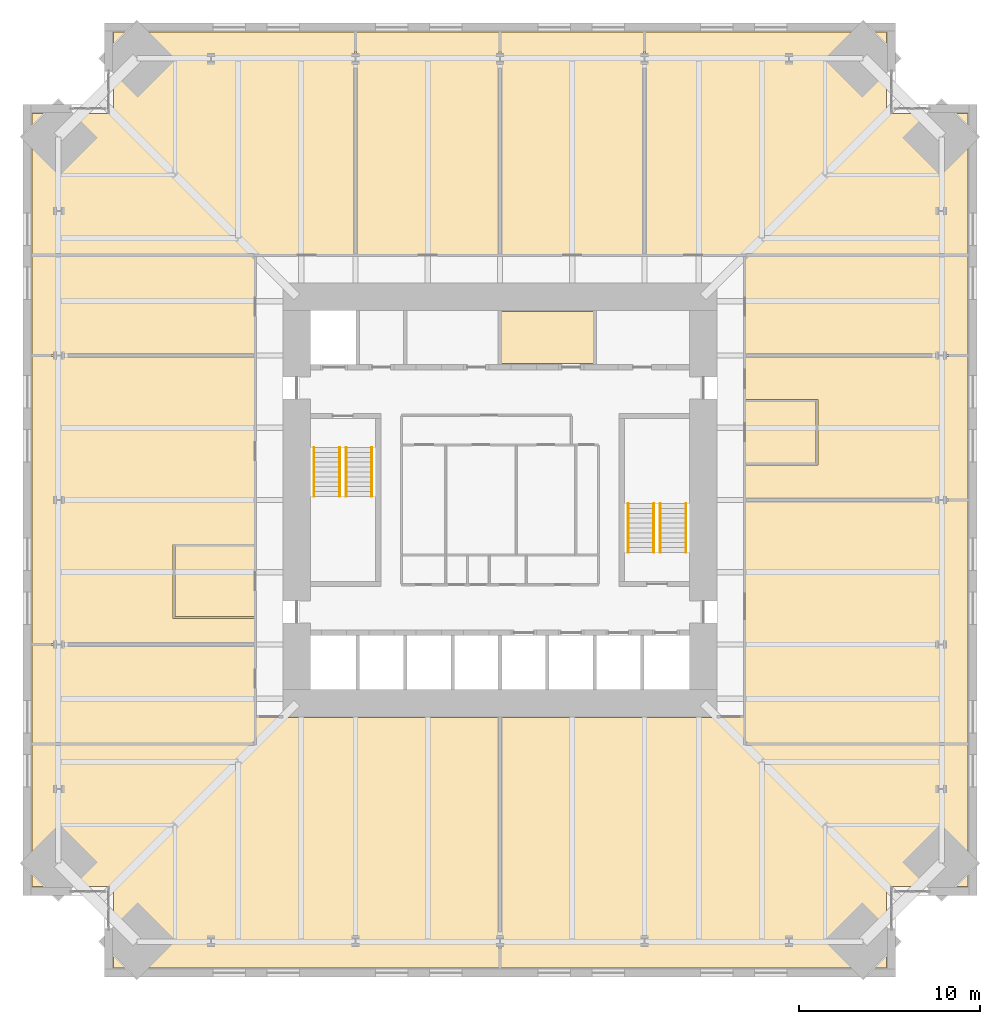
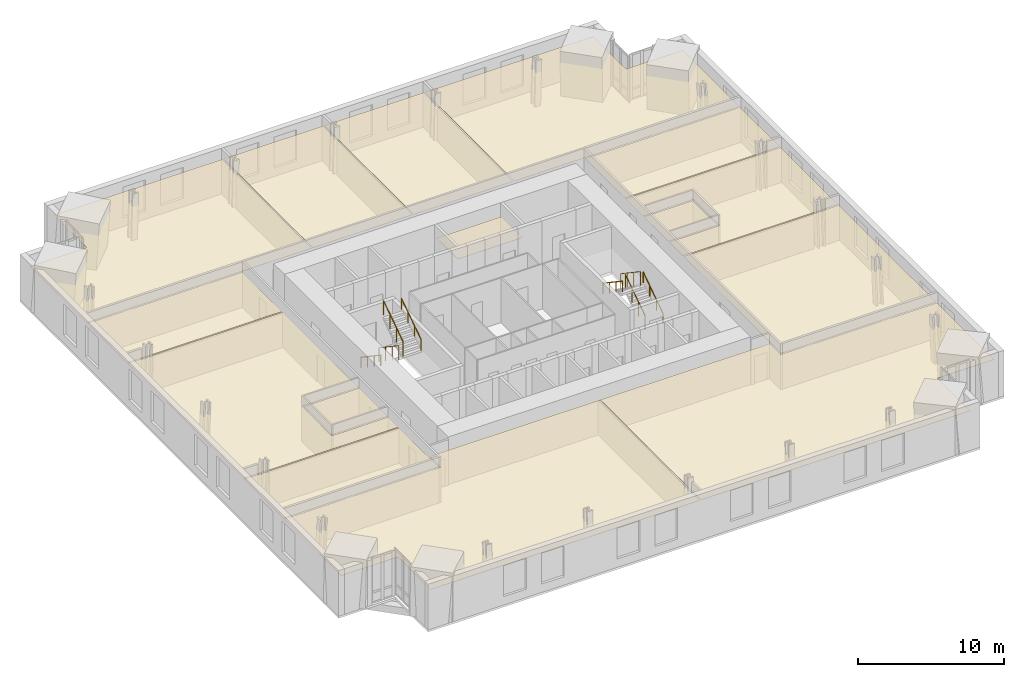
# One storey, part 18 of 18: 15 coverings, 8 railings.
"""IFC4 building model written with IfcOpenShell, lengths in metres."""

import ifcopenshell
import ifcopenshell.guid

model = None  # the IFC model being written
_history = None  # IfcOwnerHistory: only IFC2X3 demands one
_inside = {}  # id of a spatial element -> (the spatial element, [elements in it])
_under = {}  # id of a project, library or spatial element -> (it, [spatial elements below it])
_declared = {}  # id of a project -> (the project, [libraries it declares])
_typed = {}  # id of a type object -> (the type object, [elements of that type])
_made_of = {}  # id of a material, layer set ... -> (it, [elements and type objects made of it])


def new_model(schema):
    """Start an empty IFC model of exactly this schema.

    Asked for "IFC4X3", IfcOpenShell would pick the latest addendum, in which some entities
    have other attributes; the version numbers below select the first issue.
    IFC2X3 requires an IfcOwnerHistory on every rooted entity: one is made here for all.
    """
    global model, _history
    if schema == "IFC4X3":
        model = ifcopenshell.file(schema_version=(4, 3, 0, 0))
    else:
        model = ifcopenshell.file(schema=schema)
    _inside.clear()
    _under.clear()
    _declared.clear()
    _typed.clear()
    _made_of.clear()
    _history = None
    if model.schema == "IFC2X3":
        org = make("IfcOrganization", Name="unknown")
        user = make(
            "IfcPersonAndOrganization",
            ThePerson=make("IfcPerson", FamilyName="unknown"),
            TheOrganization=org,
        )
        app = make(
            "IfcApplication",
            ApplicationDeveloper=org,
            Version="unknown",
            ApplicationFullName="unknown",
            ApplicationIdentifier="unknown",
        )
        _history = make(
            "IfcOwnerHistory",
            OwningUser=user,
            OwningApplication=app,
            ChangeAction="ADDED",
            CreationDate=0,
        )
    return model


def make(cls, **values):
    """One entity of the class cls with the attributes given. An attribute that is None is left unset."""
    return model.create_entity(
        cls, **{name: value for name, value in values.items() if value is not None}
    )


def rooted(cls, **values):
    """An entity with a GlobalId (a new one), such as an element, a storey or a relation."""
    return make(cls, GlobalId=ifcopenshell.guid.new(), OwnerHistory=_history, **values)


def si_unit(unit_type, name, prefix=None):
    """IfcSIUnit, for example si_unit("LENGTHUNIT", "METRE", prefix="MILLI")."""
    return make("IfcSIUnit", UnitType=unit_type, Prefix=prefix, Name=name)


def assignment(units):
    """IfcUnitAssignment: the units of a project."""
    return None if units is None else make("IfcUnitAssignment", Units=units)


def point(xyz):
    """IfcCartesianPoint."""
    return None if xyz is None else make("IfcCartesianPoint", Coordinates=xyz)


def direction(xyz):
    """IfcDirection."""
    return None if xyz is None else make("IfcDirection", DirectionRatios=xyz)


def frame(location, z_axis=None, x_axis=None):
    """IfcAxis2Placement3D, a coordinate frame: its origin and axes. An axis left out is left unset."""
    return make(
        "IfcAxis2Placement3D",
        Location=point(location),
        Axis=direction(z_axis),
        RefDirection=direction(x_axis),
    )


def frame_2d(location, x_axis=None):
    """IfcAxis2Placement2D, a coordinate frame in the plane: its origin and x axis."""
    return make(
        "IfcAxis2Placement2D", Location=point(location), RefDirection=direction(x_axis)
    )


def origin():
    """The frame at (0, 0, 0) with its axes left unset."""
    return frame((0.0, 0.0, 0.0))


def origin_2d():
    """The frame at (0, 0) in the plane with its x axis left unset."""
    return frame_2d((0.0, 0.0))


def place(relative_to, where):
    """IfcLocalPlacement: puts the frame where relative to a parent placement (None: the world)."""
    return make(
        "IfcLocalPlacement", PlacementRelTo=relative_to, RelativePlacement=where
    )


def context(
    kind, dimensions, precision=None, world=None, true_north=None, identifier=None
):
    """IfcGeometricRepresentationContext, for example the 3D "Model" context."""
    return make(
        "IfcGeometricRepresentationContext",
        ContextIdentifier=identifier,
        ContextType=kind,
        CoordinateSpaceDimension=dimensions,
        Precision=precision,
        WorldCoordinateSystem=world,
        TrueNorth=true_north,
    )


def subcontext(parent, identifier, kind, view, scale=None):
    """IfcGeometricRepresentationSubContext, for example "Body" below "Model"."""
    return make(
        "IfcGeometricRepresentationSubContext",
        ContextIdentifier=identifier,
        ContextType=kind,
        ParentContext=parent,
        TargetScale=scale,
        TargetView=view,
    )


def project(units=None, contexts=None):
    """IfcProject with its units and contexts."""
    return rooted(
        "IfcProject",
        Name="project",
        RepresentationContexts=contexts,
        UnitsInContext=assignment(units),
    )


def spatial(cls, under=None, at=None, **own):
    """A site, building, storey or space (cls), placed at a placement, below another one or the project."""
    s = rooted(cls, ObjectPlacement=at, **own)
    if under is not None:
        _under.setdefault(under.id(), (under, []))[1].append(s)
    return s


def polyline(points):
    """IfcPolyline through the points."""
    return make("IfcPolyline", Points=[point(p) for p in points])


def profile(cls, at=None, kind="AREA", **sizes):
    """A parametric profile (cls). Its sizes go by their IFC names, for example OverallWidth=200.0."""
    return make(cls, ProfileType=kind, Position=at, **sizes)


def circle(**sizes):
    """IfcCircleProfileDef."""
    return profile("IfcCircleProfileDef", **sizes)


def outline(outer, holes=None, kind="AREA"):
    """IfcArbitraryClosedProfileDef: a profile drawn as a closed curve; with holes, ...WithVoids."""
    if holes is None:
        return make("IfcArbitraryClosedProfileDef", ProfileType=kind, OuterCurve=outer)
    return make(
        "IfcArbitraryProfileDefWithVoids",
        ProfileType=kind,
        OuterCurve=outer,
        InnerCurves=holes,
    )


def extrude(swept, where, along, depth):
    """IfcExtrudedAreaSolid: the profile swept, set in the frame where, extruded along a direction by depth."""
    return make(
        "IfcExtrudedAreaSolid",
        SweptArea=swept,
        Position=where,
        ExtrudedDirection=direction(along),
        Depth=depth,
    )


def shape(context_of_items, identifier, shape_type, items):
    """IfcShapeRepresentation: the items that make up one representation, for example the "Body"."""
    return make(
        "IfcShapeRepresentation",
        ContextOfItems=context_of_items,
        RepresentationIdentifier=identifier,
        RepresentationType=shape_type,
        Items=items,
    )


def material(Name=None, Category=None):
    """IfcMaterial."""
    return make("IfcMaterial", Name=Name, Category=Category)


def layer(
    of_material, thickness, ventilated=None, Name=None, Category=None, Priority=None
):
    """IfcMaterialLayer: one layer of a wall or slab, of a material (None: an air gap)."""
    return make(
        "IfcMaterialLayer",
        Material=of_material,
        LayerThickness=thickness,
        IsVentilated=ventilated,
        Name=Name,
        Category=Category,
        Priority=Priority,
    )


def layer_set(layers, Name=None):
    """IfcMaterialLayerSet."""
    return make("IfcMaterialLayerSet", MaterialLayers=layers, LayerSetName=Name)


def made_of(thing, what):
    """Note that an element or type object is made of a material, layer set ...; save() writes the relation."""
    if what is not None:
        _made_of.setdefault(what.id(), (what, []))[1].append(thing)
    return thing


def type_object(cls, material=None, **own):
    """A type object (cls), such as IfcWallType, which elements share."""
    return made_of(rooted(cls, **own), material)


def element(
    cls,
    number,
    at=None,
    inside=None,
    cuts=None,
    type_object=None,
    material=None,
    context=None,
    identifier="Body",
    shape_type=None,
    held_by="IfcProductDefinitionShape",
    body=None,
    shapes=None,
    **own,
):
    """One element of the class cls, such as IfcWall. Its Tag is "e" and its number.

    at: its placement. inside: the storey or other place that contains it. cuts: it is an
    opening in that element (IfcRelVoidsElement). A single representation is given by context,
    identifier, shape_type and body (its items); several are given by shapes. held_by: the class
    of the entity that holds the representations. save() writes the other relations.
    """
    e = rooted(cls, Tag="e%d" % number, ObjectPlacement=at, **own)
    if body is not None:
        shapes = [shape(context, identifier, shape_type, body)]
    if shapes is not None:
        e.Representation = make(held_by, Representations=shapes)
    if inside is not None:
        _inside.setdefault(inside.id(), (inside, []))[1].append(e)
    if cuts is not None:
        rooted(
            "IfcRelVoidsElement", RelatingBuildingElement=cuts, RelatedOpeningElement=e
        )
    if type_object is not None:
        _typed.setdefault(type_object.id(), (type_object, []))[1].append(e)
    return made_of(e, material)


def aggregate(whole, parts):
    """IfcRelAggregates: a whole, such as a stair, and the parts it consists of."""
    return rooted("IfcRelAggregates", RelatingObject=whole, RelatedObjects=parts)


def save(model, path):
    """Write the relations noted so far, then the file.

    IfcRelAggregates (storeys below a building ...), IfcRelContainedInSpatialStructure (elements
    in a storey), IfcRelDefinesByType, IfcRelAssociatesMaterial and IfcRelDeclares: one each for
    every whole, place, type object, material and project.
    """
    for whole, parts in _under.values():
        aggregate(whole, parts)
    for where, things in _inside.values():
        rooted(
            "IfcRelContainedInSpatialStructure",
            RelatedElements=things,
            RelatingStructure=where,
        )
    for kind, things in _typed.values():
        rooted("IfcRelDefinesByType", RelatedObjects=things, RelatingType=kind)
    for what, things in _made_of.values():
        rooted("IfcRelAssociatesMaterial", RelatedObjects=things, RelatingMaterial=what)
    for by, libraries in _declared.values():
        rooted("IfcRelDeclares", RelatingContext=by, RelatedDefinitions=libraries)
    model.write(path)


model = new_model("IFC4")

# Units and contexts
model_context = context("Model", 3, precision=1e-05, world=origin(), true_north=direction((0.0, 1.0)))
body_context = subcontext(model_context, "Body", "Model", "MODEL_VIEW")
ifc_project = project(units=[si_unit("LENGTHUNIT", "METRE"), si_unit("AREAUNIT", "SQUARE_METRE"), si_unit("VOLUMEUNIT", "CUBIC_METRE"), si_unit("PLANEANGLEUNIT", "RADIAN"), si_unit("MASSUNIT", "GRAM", prefix="KILO")], contexts=[model_context])

# Site, building, storey
site_placement = place(None, origin())
site = spatial("IfcSite", under=ifc_project, at=site_placement, CompositionType="ELEMENT")
building_placement = place(site_placement, origin())
building = spatial("IfcBuilding", under=site, at=building_placement, Name="Peilmerk Tower", CompositionType="ELEMENT")
storey_placement = place(building_placement, frame((0.0, 0.0, 159.800048828125)))
storey = spatial("IfcBuildingStorey", under=building, at=storey_placement, Name="L33", CompositionType="ELEMENT", Elevation=159.800048828125)

# Coverings
ifc_material_1 = material(Name="Mineral fibre ceiling tiles", Category="mineral")
ifc_layer = layer(ifc_material_1, 0.02490234375)
ifc_layer_set = layer_set([ifc_layer], Name="Mineral fibre ceiling tiles")
covering_type = type_object("IfcCoveringType", Name="CL1 25 suspended ceiling", PredefinedType="CEILING", material=ifc_layer_set)
covering_1_placement = place(storey_placement, frame((0.0, 0.0, 2.905029296875)))
element("IfcCovering", 1, at=covering_1_placement, inside=storey, type_object=covering_type, Name="Suspended ceiling Office", PredefinedType="CEILING", context=body_context, shape_type="SweptSolid", body=[
    extrude(outline(polyline([(-25.89990234375, 21.39990234375), (-25.89990234375, 13.60009765625), (-8.050048828125, 13.60009765625), (-8.050048828125, 25.89990234375), (-21.39990234375, 25.89990234375), (-21.39990234375, 21.39990234375), (-25.89990234375, 21.39990234375)])), origin(), (0.0, 0.0, 1.0), 0.02490234375),
])
covering_2_placement = place(storey_placement, frame((0.0, 0.0, 2.905029296875)))
element("IfcCovering", 2, at=covering_2_placement, inside=storey, type_object=covering_type, Name="Suspended ceiling Office", PredefinedType="CEILING", context=body_context, shape_type="SweptSolid", body=[
    extrude(outline(polyline([(-0.050048828125, 25.89990234375), (-7.949951171875, 25.89990234375), (-7.949951171875, 13.60009765625), (-0.050048828125, 13.60009765625), (-0.050048828125, 25.89990234375)])), origin(), (0.0, 0.0, 1.0), 0.02490234375),
])
covering_3_placement = place(storey_placement, frame((0.0, 0.0, 2.905029296875)))
element("IfcCovering", 3, at=covering_3_placement, inside=storey, type_object=covering_type, Name="Suspended ceiling Office", PredefinedType="CEILING", context=body_context, shape_type="SweptSolid", body=[
    extrude(outline(polyline([(7.949951171875, 25.89990234375), (0.050048828125, 25.89990234375), (0.050048828125, 13.60009765625), (7.949951171875, 13.60009765625), (7.949951171875, 25.89990234375)])), origin(), (0.0, 0.0, 1.0), 0.02490234375),
])
covering_4_placement = place(storey_placement, frame((0.0, 0.0, 2.905029296875)))
element("IfcCovering", 4, at=covering_4_placement, inside=storey, type_object=covering_type, Name="Suspended ceiling Office", PredefinedType="CEILING", context=body_context, shape_type="SweptSolid", body=[
    extrude(outline(polyline([(21.39990234375, 25.89990234375), (8.050048828125, 25.89990234375), (8.050048828125, 13.60009765625), (25.89990234375, 13.60009765625), (25.89990234375, 21.39990234375), (21.39990234375, 21.39990234375), (21.39990234375, 25.89990234375)])), origin(), (0.0, 0.0, 1.0), 0.02490234375),
])
covering_5_placement = place(storey_placement, frame((0.0, 0.0, 2.905029296875)))
element("IfcCovering", 5, at=covering_5_placement, inside=storey, type_object=covering_type, Name="Suspended ceiling Office", PredefinedType="CEILING", context=body_context, shape_type="SweptSolid", body=[
    extrude(outline(polyline([(-21.39990234375, -25.89990234375), (-0.050048828125, -25.89990234375), (-0.050048828125, -12.050048828125), (-13.5, -12.050048828125), (-13.5, -13.550048828125), (-25.89990234375, -13.550048828125), (-25.89990234375, -21.39990234375), (-21.39990234375, -21.39990234375), (-21.39990234375, -25.89990234375)])), origin(), (0.0, 0.0, 1.0), 0.02490234375),
])
covering_6_placement = place(storey_placement, frame((0.0, 0.0, 2.905029296875)))
element("IfcCovering", 6, at=covering_6_placement, inside=storey, type_object=covering_type, Name="Suspended ceiling Office", PredefinedType="CEILING", context=body_context, shape_type="SweptSolid", body=[
    extrude(outline(polyline([(0.050048828125, -25.89990234375), (21.39990234375, -25.89990234375), (21.39990234375, -21.39990234375), (25.89990234375, -21.39990234375), (25.89990234375, -13.550048828125), (13.5, -13.550048828125), (13.5, -12.050048828125), (0.050048828125, -12.050048828125), (0.050048828125, -25.89990234375)])), origin(), (0.0, 0.0, 1.0), 0.02490234375),
])
covering_7_placement = place(storey_placement, frame((0.0, 0.0, 2.905029296875)))
element("IfcCovering", 7, at=covering_7_placement, inside=storey, type_object=covering_type, Name="Suspended ceiling Library", PredefinedType="CEILING", context=body_context, shape_type="SweptSolid", body=[
    extrude(outline(polyline([(25.89990234375, -13.449951171875), (25.89990234375, -0.050048828125), (13.60009765625, -0.050048828125), (13.60009765625, -13.449951171875), (25.89990234375, -13.449951171875)])), origin(), (0.0, 0.0, 1.0), 0.02490234375),
])
covering_8_placement = place(storey_placement, frame((0.0, 0.0, 2.905029296875)))
element("IfcCovering", 8, at=covering_8_placement, inside=storey, type_object=covering_type, Name="Suspended ceiling Office", PredefinedType="CEILING", context=body_context, shape_type="SweptSolid", body=[
    extrude(outline(polyline([(13.60009765625, 0.050048828125), (25.89990234375, 0.050048828125), (25.89990234375, 7.949951171875), (13.60009765625, 7.949951171875), (13.60009765625, 5.550048828125), (17.60009765625, 5.550048828125), (17.60009765625, 1.949951171875), (13.60009765625, 1.949951171875), (13.60009765625, 0.050048828125)])), origin(), (0.0, 0.0, 1.0), 0.02490234375),
])
covering_9_placement = place(storey_placement, frame((0.0, 0.0, 2.905029296875)))
element("IfcCovering", 9, at=covering_9_placement, inside=storey, type_object=covering_type, Name="Suspended ceiling Office", PredefinedType="CEILING", context=body_context, shape_type="SweptSolid", body=[
    extrude(outline(polyline([(25.89990234375, 8.050048828125), (25.89990234375, 13.5), (13.60009765625, 13.5), (13.60009765625, 8.050048828125), (25.89990234375, 8.050048828125)])), origin(), (0.0, 0.0, 1.0), 0.02490234375),
])
covering_10_placement = place(storey_placement, frame((0.0, 0.0, 2.905029296875)))
element("IfcCovering", 10, at=covering_10_placement, inside=storey, type_object=covering_type, Name="Suspended ceiling Pantry", PredefinedType="CEILING", context=body_context, shape_type="SweptSolid", body=[
    extrude(outline(polyline([(17.5, 2.050048828125), (17.5, 5.449951171875), (13.60009765625, 5.449951171875), (13.60009765625, 2.050048828125), (17.5, 2.050048828125)])), origin(), (0.0, 0.0, 1.0), 0.02490234375),
])
covering_11_placement = place(storey_placement, frame((0.0, 0.0, 2.905029296875)))
element("IfcCovering", 11, at=covering_11_placement, inside=storey, type_object=covering_type, Name="Suspended ceiling Office", PredefinedType="CEILING", context=body_context, shape_type="SweptSolid", body=[
    extrude(outline(polyline([(-25.89990234375, -8.050048828125), (-25.89990234375, -13.449951171875), (-13.60009765625, -13.449951171875), (-13.60009765625, -8.050048828125), (-25.89990234375, -8.050048828125)])), origin(), (0.0, 0.0, 1.0), 0.02490234375),
])
covering_12_placement = place(storey_placement, frame((0.0, 0.0, 2.905029296875)))
element("IfcCovering", 12, at=covering_12_placement, inside=storey, type_object=covering_type, Name="Suspended ceiling Office", PredefinedType="CEILING", context=body_context, shape_type="SweptSolid", body=[
    extrude(outline(polyline([(-13.60009765625, 7.949951171875), (-25.89990234375, 7.949951171875), (-25.89990234375, -7.949951171875), (-13.60009765625, -7.949951171875), (-13.60009765625, -6.550048828125), (-18.10009765625, -6.550048828125), (-18.10009765625, -2.449951171875), (-13.60009765625, -2.449951171875), (-13.60009765625, 7.949951171875)])), origin(), (0.0, 0.0, 1.0), 0.02490234375),
])
covering_13_placement = place(storey_placement, frame((0.0, 0.0, 2.905029296875)))
element("IfcCovering", 13, at=covering_13_placement, inside=storey, type_object=covering_type, Name="Suspended ceiling Office", PredefinedType="CEILING", context=body_context, shape_type="SweptSolid", body=[
    extrude(outline(polyline([(-25.89990234375, 13.5), (-25.89990234375, 8.050048828125), (-13.60009765625, 8.050048828125), (-13.60009765625, 13.5), (-25.89990234375, 13.5)])), origin(), (0.0, 0.0, 1.0), 0.02490234375),
])
covering_14_placement = place(storey_placement, frame((0.0, 0.0, 2.905029296875)))
element("IfcCovering", 14, at=covering_14_placement, inside=storey, type_object=covering_type, Name="Suspended ceiling Meeting room", PredefinedType="CEILING", context=body_context, shape_type="SweptSolid", body=[
    extrude(outline(polyline([(-13.60009765625, -6.449951171875), (-13.60009765625, -2.550048828125), (-18.0, -2.550048828125), (-18.0, -6.449951171875), (-13.60009765625, -6.449951171875)])), origin(), (0.0, 0.0, 1.0), 0.02490234375),
])
covering_15_placement = place(storey_placement, frame((0.0, 0.0, 2.824951171875)))
element("IfcCovering", 15, at=covering_15_placement, inside=storey, type_object=covering_type, Name="Suspended ceiling Back-of-house office", PredefinedType="CEILING", context=body_context, shape_type="SweptSolid", body=[
    extrude(outline(polyline([(0.051025390625, 7.551025390625), (5.198974609375, 7.551025390625), (5.198974609375, 10.448974609375), (0.051025390625, 10.448974609375), (0.051025390625, 7.551025390625)])), origin(), (0.0, 0.0, 1.0), 0.02490234375),
])

# Railings
ifc_material_2 = material(Name="Steel flat bar balustrade", Category="steel")
railing_type_1 = type_object("IfcRailingType", Name="GR1 1200 stair guard", PredefinedType="GUARDRAIL", material=ifc_material_2)
railing_1_placement = place(storey_placement, frame((-8.8798828125, 2.89990234375, 0.181884765625)))
element("IfcRailing", 16, at=railing_1_placement, inside=storey, type_object=railing_type_1, Name="Guard stair 1 L33", PredefinedType="GUARDRAIL", context=body_context, shape_type="SweptSolid", body=[
    extrude(circle(Radius=0.02392578125, at=origin_2d()), frame((0.0, 0.0, 1.17578125), z_axis=(0.0, -0.829468130872, 0.55855404382), x_axis=(1.0, 0.0, 0.0)), (0.0, 0.0, 1.0), 3.255126953125),
    extrude(circle(Radius=0.02099609375, at=origin_2d()), origin(), (0.0, 0.0, 1.0), 1.15185546875),
    extrude(circle(Radius=0.02099609375, at=origin_2d()), frame((0.0, -0.89990234375, 0.60595703125)), (0.0, 0.0, 1.0), 1.15185546875),
    extrude(circle(Radius=0.02099609375, at=origin_2d()), frame((0.0, -1.800048828125, 1.212158203125)), (0.0, 0.0, 1.0), 1.15185546875),
    extrude(circle(Radius=0.02099609375, at=origin_2d()), frame((0.0, -2.699951171875, 1.818115234375)), (0.0, 0.0, 1.0), 1.15185546875),
])
for number, where, name in (
    (17, (-8.52001953125, 0.199951171875, 2.181884765625), "Guard stair 1 L33"),
    (18, (8.8798828125, -2.89990234375, 0.181884765625), "Guard stair 2 L33"),
):
    element("IfcRailing", number, at=place(storey_placement, frame(where)), inside=storey, type_object=railing_type_1, Name=name, PredefinedType="GUARDRAIL", context=body_context, shape_type="SweptSolid", body=[
        extrude(circle(Radius=0.02392578125, at=origin_2d()), frame((0.0, 0.0, 1.17578125), z_axis=(0.0, 0.829468130872, 0.55855404382), x_axis=(-1.0, 0.0, 0.0)), (0.0, 0.0, 1.0), 3.255126953125),
        extrude(circle(Radius=0.02099609375, at=origin_2d()), origin(), (0.0, 0.0, 1.0), 1.15185546875),
        extrude(circle(Radius=0.02099609375, at=origin_2d()), frame((0.0, 0.89990234375, 0.60595703125)), (0.0, 0.0, 1.0), 1.15185546875),
        extrude(circle(Radius=0.02099609375, at=origin_2d()), frame((0.0, 1.800048828125, 1.212158203125)), (0.0, 0.0, 1.0), 1.15185546875),
        extrude(circle(Radius=0.02099609375, at=origin_2d()), frame((0.0, 2.699951171875, 1.818115234375)), (0.0, 0.0, 1.0), 1.15185546875),
    ])
railing_2_placement = place(storey_placement, frame((8.52001953125, -0.199951171875, 2.181884765625)))
element("IfcRailing", 19, at=railing_2_placement, inside=storey, type_object=railing_type_1, Name="Guard stair 2 L33", PredefinedType="GUARDRAIL", context=body_context, shape_type="SweptSolid", body=[
    extrude(circle(Radius=0.02392578125, at=origin_2d()), frame((0.0, 0.0, 1.17578125), z_axis=(0.0, -0.829468130872, 0.55855404382), x_axis=(1.0, 0.0, 0.0)), (0.0, 0.0, 1.0), 3.255126953125),
    extrude(circle(Radius=0.02099609375, at=origin_2d()), origin(), (0.0, 0.0, 1.0), 1.15185546875),
    extrude(circle(Radius=0.02099609375, at=origin_2d()), frame((0.0, -0.89990234375, 0.60595703125)), (0.0, 0.0, 1.0), 1.15185546875),
    extrude(circle(Radius=0.02099609375, at=origin_2d()), frame((0.0, -1.800048828125, 1.212158203125)), (0.0, 0.0, 1.0), 1.15185546875),
    extrude(circle(Radius=0.02099609375, at=origin_2d()), frame((0.0, -2.699951171875, 1.818115234375)), (0.0, 0.0, 1.0), 1.15185546875),
])
ifc_material_3 = material(Name="Stainless steel tube", Category="steel")
railing_type_2 = type_object("IfcRailingType", Name="HR1 900 stair handrail", PredefinedType="HANDRAIL", material=ifc_material_3)
railing_3_placement = place(storey_placement, frame((-10.300048828125, 2.89990234375, 0.181884765625)))
element("IfcRailing", 20, at=railing_3_placement, inside=storey, type_object=railing_type_2, Name="Handrail stair 1 L33", PredefinedType="HANDRAIL", context=body_context, shape_type="SweptSolid", body=[
    extrude(circle(Radius=0.02392578125, at=origin_2d()), frame((0.0, 0.0, 0.8759765625), z_axis=(0.0, -0.829468130872, 0.55855404382), x_axis=(1.0, 0.0, 0.0)), (0.0, 0.0, 1.0), 3.255126953125),
    extrude(circle(Radius=0.02099609375, at=origin_2d()), origin(), (0.0, 0.0, 1.0), 0.851806640625),
    extrude(circle(Radius=0.02099609375, at=origin_2d()), frame((0.0, -0.89990234375, 0.60595703125)), (0.0, 0.0, 1.0), 0.851806640625),
    extrude(circle(Radius=0.02099609375, at=origin_2d()), frame((0.0, -1.800048828125, 1.212158203125)), (0.0, 0.0, 1.0), 0.851806640625),
    extrude(circle(Radius=0.02099609375, at=origin_2d()), frame((0.0, -2.699951171875, 1.818115234375)), (0.0, 0.0, 1.0), 0.851806640625),
])
for number, where, name in (
    (21, (-7.10009765625, 0.199951171875, 2.181884765625), "Handrail stair 1 L33"),
    (22, (10.300048828125, -2.89990234375, 0.181884765625), "Handrail stair 2 L33"),
):
    element("IfcRailing", number, at=place(storey_placement, frame(where)), inside=storey, type_object=railing_type_2, Name=name, PredefinedType="HANDRAIL", context=body_context, shape_type="SweptSolid", body=[
        extrude(circle(Radius=0.02392578125, at=origin_2d()), frame((0.0, 0.0, 0.8759765625), z_axis=(0.0, 0.829468130872, 0.55855404382), x_axis=(-1.0, 0.0, 0.0)), (0.0, 0.0, 1.0), 3.255126953125),
        extrude(circle(Radius=0.02099609375, at=origin_2d()), origin(), (0.0, 0.0, 1.0), 0.851806640625),
        extrude(circle(Radius=0.02099609375, at=origin_2d()), frame((0.0, 0.89990234375, 0.60595703125)), (0.0, 0.0, 1.0), 0.851806640625),
        extrude(circle(Radius=0.02099609375, at=origin_2d()), frame((0.0, 1.800048828125, 1.212158203125)), (0.0, 0.0, 1.0), 0.851806640625),
        extrude(circle(Radius=0.02099609375, at=origin_2d()), frame((0.0, 2.699951171875, 1.818115234375)), (0.0, 0.0, 1.0), 0.851806640625),
    ])
railing_4_placement = place(storey_placement, frame((7.10009765625, -0.199951171875, 2.181884765625)))
element("IfcRailing", 23, at=railing_4_placement, inside=storey, type_object=railing_type_2, Name="Handrail stair 2 L33", PredefinedType="HANDRAIL", context=body_context, shape_type="SweptSolid", body=[
    extrude(circle(Radius=0.02392578125, at=origin_2d()), frame((0.0, 0.0, 0.8759765625), z_axis=(0.0, -0.829468130872, 0.55855404382), x_axis=(1.0, 0.0, 0.0)), (0.0, 0.0, 1.0), 3.255126953125),
    extrude(circle(Radius=0.02099609375, at=origin_2d()), origin(), (0.0, 0.0, 1.0), 0.851806640625),
    extrude(circle(Radius=0.02099609375, at=origin_2d()), frame((0.0, -0.89990234375, 0.60595703125)), (0.0, 0.0, 1.0), 0.851806640625),
    extrude(circle(Radius=0.02099609375, at=origin_2d()), frame((0.0, -1.800048828125, 1.212158203125)), (0.0, 0.0, 1.0), 0.851806640625),
    extrude(circle(Radius=0.02099609375, at=origin_2d()), frame((0.0, -2.699951171875, 1.818115234375)), (0.0, 0.0, 1.0), 0.851806640625),
])

save(model, "model.ifc")
